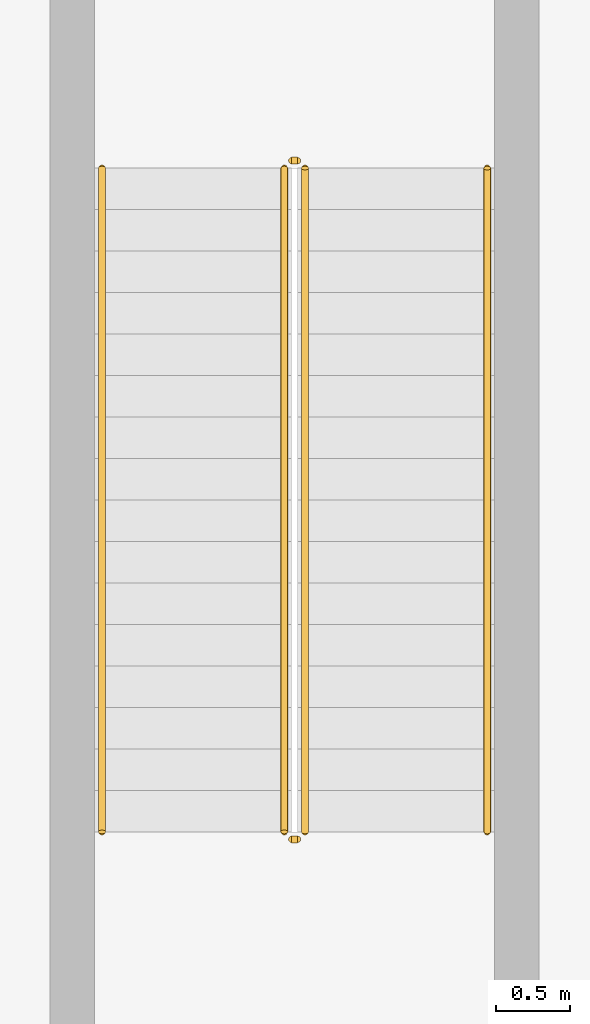
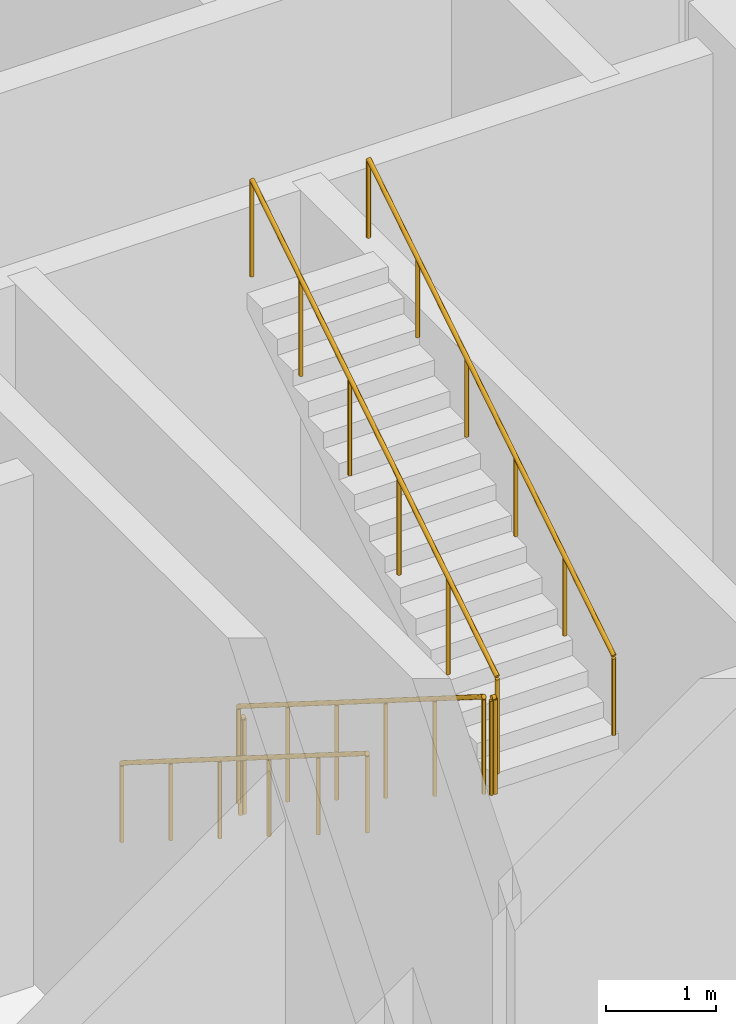
# One storey, part 19 of 19: 6 railings.
"""IFC4 building model written with IfcOpenShell, lengths in metres."""

from ifc_helpers import new_model, si_unit, direction, frame, origin, origin_2d, place, context, subcontext, project, spatial, circle, extrude, material, type_object, element, save


model = new_model("IFC4")

# Units and contexts
model_context = context("Model", 3, precision=1e-05, world=origin(), true_north=direction((0.0, 1.0)))
body_context = subcontext(model_context, "Body", "Model", "MODEL_VIEW")
ifc_project = project(units=[si_unit("LENGTHUNIT", "METRE"), si_unit("AREAUNIT", "SQUARE_METRE"), si_unit("VOLUMEUNIT", "CUBIC_METRE"), si_unit("PLANEANGLEUNIT", "RADIAN"), si_unit("MASSUNIT", "GRAM", prefix="KILO")], contexts=[model_context])

# Site, building, storey
site_placement = place(None, origin())
site = spatial("IfcSite", under=ifc_project, at=site_placement, CompositionType="ELEMENT")
building_placement = place(site_placement, origin())
building = spatial("IfcBuilding", under=site, at=building_placement, Name="Ogive Portal Towers", CompositionType="ELEMENT")
storey_placement = place(building_placement, frame((0.0, 0.0, 254.89990234375)))
storey = spatial("IfcBuildingStorey", under=building, at=storey_placement, Name="L63", CompositionType="ELEMENT", Elevation=254.89990234375)

# Railings
ifc_material_1 = material(Name="Stainless steel balustrade", Category="steel")
railing_type_1 = type_object("IfcRailingType", Name="INT-GUARD", PredefinedType="GUARDRAIL", material=ifc_material_1)
railing_1_placement = place(storey_placement, frame((88.280029296875, 29.169921875, 0.176513671875)))
element("IfcRailing", 1, at=railing_1_placement, inside=storey, type_object=railing_type_1, Name="L63 ST-A4 stair guard 1", PredefinedType="GUARDRAIL", context=body_context, shape_type="SweptSolid", body=[
    extrude(circle(Radius=0.02392578125, at=origin_2d()), frame((0.0, 0.0, 1.076171875), z_axis=(0.0, -0.845997938375, 0.533186166611), x_axis=(1.0, 0.0, 0.0)), (0.0, 0.0, 1.0), 5.29541015625),
    extrude(circle(Radius=0.02099609375, at=origin_2d()), origin(), (0.0, 0.0, 1.0), 1.052001953125),
    extrude(circle(Radius=0.02099609375, at=origin_2d()), frame((0.0, -0.89599609375, 0.564697265625)), (0.0, 0.0, 1.0), 1.052001953125),
    extrude(circle(Radius=0.02099609375, at=origin_2d()), frame((0.0, -1.7919921875, 1.12939453125)), (0.0, 0.0, 1.0), 1.052001953125),
    extrude(circle(Radius=0.02099609375, at=origin_2d()), frame((0.0, -2.68798828125, 1.694091796875)), (0.0, 0.0, 1.0), 1.052001953125),
    extrude(circle(Radius=0.02099609375, at=origin_2d()), frame((0.0, -3.583984375, 2.2587890625)), (0.0, 0.0, 1.0), 1.052001953125),
    extrude(circle(Radius=0.02099609375, at=origin_2d()), frame((0.0, -4.47998046875, 2.823486328125)), (0.0, 0.0, 1.0), 1.052001953125),
])
railing_2_placement = place(storey_placement, frame((88.330078125, 24.639892578125, 3.0)))
element("IfcRailing", 2, at=railing_2_placement, inside=storey, type_object=railing_type_1, Name="L63 ST-A4 stair guard 2", PredefinedType="GUARDRAIL", context=body_context, shape_type="SweptSolid", body=[
    extrude(circle(Radius=0.02392578125, at=origin_2d()), frame((0.0, 0.0, 1.076171875), z_axis=(1.0, 0.0, 0.0), x_axis=(0.0, 1.0, 0.0)), (0.0, 0.0, 1.0), 0.0400390625),
    extrude(circle(Radius=0.02099609375, at=origin_2d()), origin(), (0.0, 0.0, 1.0), 1.052001953125),
    extrude(circle(Radius=0.02099609375, at=origin_2d()), frame((0.0400390625, 0.0, 0.0)), (0.0, 0.0, 1.0), 1.052001953125),
])
railing_3_placement = place(storey_placement, frame((88.419921875, 24.68994140625, 3.176513671875)))
element("IfcRailing", 3, at=railing_3_placement, inside=storey, type_object=railing_type_1, Name="L63 ST-A4 stair guard 3", PredefinedType="GUARDRAIL", context=body_context, shape_type="SweptSolid", body=[
    extrude(circle(Radius=0.02392578125, at=origin_2d()), frame((0.0, 0.0, 1.076171875), z_axis=(0.0, 0.845997938375, 0.533186166611), x_axis=(-1.0, 0.0, 0.0)), (0.0, 0.0, 1.0), 5.29541015625),
    extrude(circle(Radius=0.02099609375, at=origin_2d()), origin(), (0.0, 0.0, 1.0), 1.052001953125),
    extrude(circle(Radius=0.02099609375, at=origin_2d()), frame((0.0, 0.89599609375, 0.564697265625)), (0.0, 0.0, 1.0), 1.052001953125),
    extrude(circle(Radius=0.02099609375, at=origin_2d()), frame((0.0, 1.7919921875, 1.12939453125)), (0.0, 0.0, 1.0), 1.052001953125),
    extrude(circle(Radius=0.02099609375, at=origin_2d()), frame((0.0, 2.68798828125, 1.694091796875)), (0.0, 0.0, 1.0), 1.052001953125),
    extrude(circle(Radius=0.02099609375, at=origin_2d()), frame((0.0, 3.583984375, 2.2587890625)), (0.0, 0.0, 1.0), 1.052001953125),
    extrude(circle(Radius=0.02099609375, at=origin_2d()), frame((0.0, 4.47998046875, 2.823486328125)), (0.0, 0.0, 1.0), 1.052001953125),
])
railing_4_placement = place(storey_placement, frame((88.330078125, 29.219970703125, 0.0)))
element("IfcRailing", 4, at=railing_4_placement, inside=storey, type_object=railing_type_1, Name="L63 ST-A4 stair guard 4", PredefinedType="GUARDRAIL", context=body_context, shape_type="SweptSolid", body=[
    extrude(circle(Radius=0.02392578125, at=origin_2d()), frame((0.0, 0.0, 1.076171875), z_axis=(1.0, 0.0, 0.0), x_axis=(0.0, 1.0, 0.0)), (0.0, 0.0, 1.0), 0.0400390625),
    extrude(circle(Radius=0.02099609375, at=origin_2d()), origin(), (0.0, 0.0, 1.0), 1.052001953125),
    extrude(circle(Radius=0.02099609375, at=origin_2d()), frame((0.0400390625, 0.0, 0.0)), (0.0, 0.0, 1.0), 1.052001953125),
])
ifc_material_2 = material(Name="Stainless steel handrail", Category="steel")
railing_type_2 = type_object("IfcRailingType", Name="INT-HANDRAIL", PredefinedType="HANDRAIL", material=ifc_material_2)
railing_5_placement = place(storey_placement, frame((87.050048828125, 29.169921875, 0.176513671875)))
element("IfcRailing", 5, at=railing_5_placement, inside=storey, type_object=railing_type_2, Name="L63 ST-A4 stair handrail 1", PredefinedType="HANDRAIL", context=body_context, shape_type="SweptSolid", body=[
    extrude(circle(Radius=0.02392578125, at=origin_2d()), frame((0.0, 0.0, 0.8759765625), z_axis=(0.0, -0.845997938375, 0.533186166611), x_axis=(1.0, 0.0, 0.0)), (0.0, 0.0, 1.0), 5.29541015625),
    extrude(circle(Radius=0.02099609375, at=origin_2d()), origin(), (0.0, 0.0, 1.0), 0.851806640625),
    extrude(circle(Radius=0.02099609375, at=origin_2d()), frame((0.0, -0.89599609375, 0.564697265625)), (0.0, 0.0, 1.0), 0.851806640625),
    extrude(circle(Radius=0.02099609375, at=origin_2d()), frame((0.0, -1.7919921875, 1.12939453125)), (0.0, 0.0, 1.0), 0.851806640625),
    extrude(circle(Radius=0.02099609375, at=origin_2d()), frame((0.0, -2.68798828125, 1.694091796875)), (0.0, 0.0, 1.0), 0.851806640625),
    extrude(circle(Radius=0.02099609375, at=origin_2d()), frame((0.0, -3.583984375, 2.2587890625)), (0.0, 0.0, 1.0), 0.851806640625),
    extrude(circle(Radius=0.02099609375, at=origin_2d()), frame((0.0, -4.47998046875, 2.823486328125)), (0.0, 0.0, 1.0), 0.851806640625),
])
railing_6_placement = place(storey_placement, frame((89.64990234375, 24.68994140625, 3.176513671875)))
element("IfcRailing", 6, at=railing_6_placement, inside=storey, type_object=railing_type_2, Name="L63 ST-A4 stair handrail 2", PredefinedType="HANDRAIL", context=body_context, shape_type="SweptSolid", body=[
    extrude(circle(Radius=0.02392578125, at=origin_2d()), frame((0.0, 0.0, 0.8759765625), z_axis=(0.0, 0.845997938375, 0.533186166611), x_axis=(-1.0, 0.0, 0.0)), (0.0, 0.0, 1.0), 5.29541015625),
    extrude(circle(Radius=0.02099609375, at=origin_2d()), origin(), (0.0, 0.0, 1.0), 0.851806640625),
    extrude(circle(Radius=0.02099609375, at=origin_2d()), frame((0.0, 0.89599609375, 0.564697265625)), (0.0, 0.0, 1.0), 0.851806640625),
    extrude(circle(Radius=0.02099609375, at=origin_2d()), frame((0.0, 1.7919921875, 1.12939453125)), (0.0, 0.0, 1.0), 0.851806640625),
    extrude(circle(Radius=0.02099609375, at=origin_2d()), frame((0.0, 2.68798828125, 1.694091796875)), (0.0, 0.0, 1.0), 0.851806640625),
    extrude(circle(Radius=0.02099609375, at=origin_2d()), frame((0.0, 3.583984375, 2.2587890625)), (0.0, 0.0, 1.0), 0.851806640625),
    extrude(circle(Radius=0.02099609375, at=origin_2d()), frame((0.0, 4.47998046875, 2.823486328125)), (0.0, 0.0, 1.0), 0.851806640625),
])

save(model, "model.ifc")
